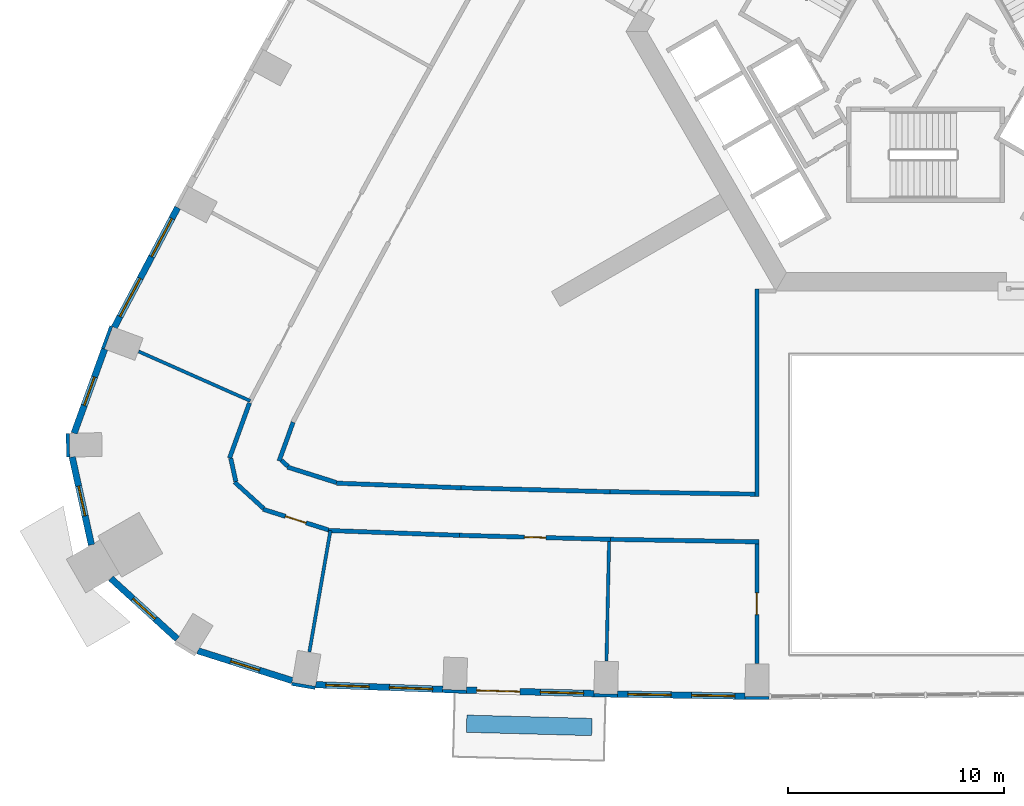
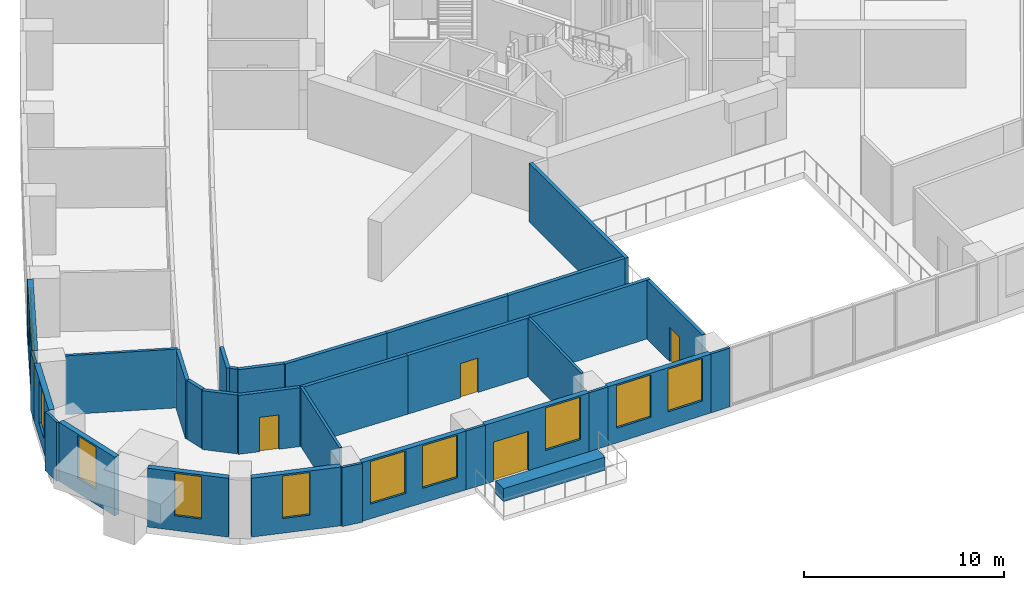
# One storey, part 4 of 15: 33 walls, 11 windows, 4 doors, 15 openings.
"""IFC4 building model written with IfcOpenShell, lengths in metres."""

from ifc_helpers import new_model, si_unit, direction, frame, frame_2d, origin, place, context, subcontext, project, spatial, rectangle, extrude, material, layer, layer_set, type_object, element, fill, save


model = new_model("IFC4")

# Units and contexts
model_context = context("Model", 3, precision=1e-05, world=origin(), true_north=direction((0.0, 1.0)))
body_context = subcontext(model_context, "Body", "Model", "MODEL_VIEW")
ifc_project = project(units=[si_unit("LENGTHUNIT", "METRE"), si_unit("AREAUNIT", "SQUARE_METRE"), si_unit("VOLUMEUNIT", "CUBIC_METRE"), si_unit("PLANEANGLEUNIT", "RADIAN"), si_unit("MASSUNIT", "GRAM", prefix="KILO")], contexts=[model_context])

# Site, building, storey
site_placement = place(None, origin())
site = spatial("IfcSite", under=ifc_project, at=site_placement, CompositionType="ELEMENT")
building_placement = place(site_placement, origin())
building = spatial("IfcBuilding", under=site, at=building_placement, Name="Entoto Arch Interchange Tower", CompositionType="ELEMENT")
storey_placement = place(building_placement, frame((0.0, 0.0, 128.60009765625)))
storey = spatial("IfcBuildingStorey", under=building, at=storey_placement, Name="L28", CompositionType="ELEMENT", Elevation=128.60009765625)

# Walls
ifc_material_1 = material(Name="Gypsum board partition on steel studs", Category="steel")
ifc_layer_1 = layer(ifc_material_1, 0.14990234375)
ifc_layer_set_1 = layer_set([ifc_layer_1], Name="Gypsum board partition on steel studs")
wall_type_1 = type_object("IfcWallType", Name="PARTITION 150", PredefinedType="PARTITIONING", material=ifc_layer_set_1)
wall_1_placement = place(storey_placement, frame((-31.23291015625, -14.58203125, 0.0), z_axis=(0.0, 0.0, 1.0), x_axis=(-0.914317360249, 0.404998474994, 0.0)))
element("IfcWall", 1, at=wall_1_placement, inside=storey, type_object=wall_type_1, Name="wall:L28:p150", PredefinedType="PARTITIONING", context=body_context, shape_type="SweptSolid", body=[
    extrude(rectangle(XDim=5.644775390625, YDim=0.14990234375, at=frame_2d((2.822265625, 0.0))), origin(), (0.0, 0.0, 1.0), 3.599853515625),
])
wall_2_placement = place(storey_placement, frame((-27.52587890625, -20.577880859375, 0.0), z_axis=(0.0, 0.0, 1.0), x_axis=(-0.170795043313, -0.985306578269, 0.0)))
element("IfcWall", 2, at=wall_2_placement, inside=storey, type_object=wall_type_1, Name="wall:L28:p151", PredefinedType="PARTITIONING", context=body_context, shape_type="SweptSolid", body=[
    extrude(rectangle(XDim=5.69775390625, YDim=0.14990234375, at=frame_2d((2.848876953125, 0.0))), origin(), (0.0, 0.0, 1.0), 3.599853515625),
])
wall_3_placement = place(storey_placement, frame((-14.638916015625, -21.083984375, 0.0), z_axis=(0.0, 0.0, 1.0), x_axis=(-0.021723441989, -0.99976401819, 0.0)))
element("IfcWall", 3, at=wall_3_placement, inside=storey, type_object=wall_type_1, Name="wall:L28:p152", PredefinedType="PARTITIONING", context=body_context, shape_type="SweptSolid", body=[
    extrude(rectangle(XDim=5.529296875, YDim=0.14990234375, at=frame_2d((2.7646484375, 0.0))), origin(), (0.0, 0.0, 1.0), 3.599853515625),
])
ifc_layer_2 = layer(ifc_material_1, 0.199951171875)
ifc_layer_set_2 = layer_set([ifc_layer_2], Name="Gypsum board partition on steel studs")
wall_type_2 = type_object("IfcWallType", Name="PARTITION 200", PredefinedType="PARTITIONING", material=ifc_layer_set_2)
wall_4_placement = place(storey_placement, frame((-29.2509765625, -15.569091796875, 0.0), z_axis=(0.0, 0.0, 1.0), x_axis=(-0.340403936609, -0.940279298901, 0.0)))
element("IfcWall", 4, at=wall_4_placement, inside=storey, type_object=wall_type_2, Name="wall:L28:p037", PredefinedType="PARTITIONING", context=body_context, shape_type="SweptSolid", body=[
    extrude(rectangle(XDim=1.903564453125, YDim=0.199951171875, at=frame_2d((0.95166015625, 0.0))), origin(), (0.0, 0.0, 1.0), 3.599853515625),
])
wall_5_placement = place(storey_placement, frame((-29.7919921875, -17.33203125, 0.0), z_axis=(0.0, 0.0, 1.0), x_axis=(0.738629069284, -0.674112081192, 0.0)))
element("IfcWall", 5, at=wall_5_placement, inside=storey, type_object=wall_type_2, Name="wall:L28:p038", PredefinedType="PARTITIONING", context=body_context, shape_type="SweptSolid", body=[
    extrude(rectangle(XDim=0.40478515625, YDim=0.199951171875, at=frame_2d((0.202392578125, 0.0))), origin(), (0.0, 0.0, 1.0), 3.599853515625),
])
wall_6_placement = place(storey_placement, frame((-29.513916015625, -17.64208984375, 0.0), z_axis=(0.0, 0.0, 1.0), x_axis=(0.953398231748, -0.301714785353, 0.0)))
element("IfcWall", 6, at=wall_6_placement, inside=storey, type_object=wall_type_2, Name="wall:L28:p039", PredefinedType="PARTITIONING", context=body_context, shape_type="SweptSolid", body=[
    extrude(rectangle(XDim=2.383056640625, YDim=0.199951171875, at=frame_2d((1.19140625, 0.0))), origin(), (0.0, 0.0, 1.0), 3.599853515625),
])
wall_7_placement = place(storey_placement, frame((-27.2470703125, -18.386962890625, 0.0), z_axis=(0.0, 0.0, 1.0), x_axis=(0.999316109669, -0.036977195089, 0.0)))
element("IfcWall", 7, at=wall_7_placement, inside=storey, type_object=wall_type_2, Name="wall:L28:p040", PredefinedType="PARTITIONING", context=body_context, shape_type="SweptSolid", body=[
    extrude(rectangle(XDim=5.763916015625, YDim=0.199951171875, at=frame_2d((2.8818359375, 0.0))), origin(), (0.0, 0.0, 1.0), 3.599853515625),
])
wall_8_placement = place(storey_placement, frame((-21.487060546875, -18.60009765625, 0.0), z_axis=(0.0, 0.0, 1.0), x_axis=(0.999645048679, -0.02664163381, 0.0)))
element("IfcWall", 8, at=wall_8_placement, inside=storey, type_object=wall_type_2, Name="wall:L28:p041", PredefinedType="PARTITIONING", context=body_context, shape_type="SweptSolid", body=[
    extrude(rectangle(XDim=6.900390625, YDim=0.199951171875, at=frame_2d((3.4501953125, 0.0))), origin(), (0.0, 0.0, 1.0), 3.599853515625),
])
wall_9_placement = place(storey_placement, frame((-14.589111328125, -18.783935546875, 0.0), z_axis=(0.0, 0.0, 1.0), x_axis=(0.999862141497, -0.016604156151, 0.0)))
element("IfcWall", 9, at=wall_9_placement, inside=storey, type_object=wall_type_2, Name="wall:L28:p042", PredefinedType="PARTITIONING", context=body_context, shape_type="SweptSolid", body=[
    extrude(rectangle(XDim=6.690185546875, YDim=0.199951171875, at=frame_2d((3.34521484375, 0.0))), origin(), (0.0, 0.0, 1.0), 3.599853515625),
])

# Wall, opening, door
wall_10_placement = place(storey_placement, frame((-27.62109375, -20.548095703125, 0.0), z_axis=(0.0, 0.0, 1.0), x_axis=(-0.953482354465, 0.301448834338, 0.0)))
wall_10 = element("IfcWall", 10, at=wall_10_placement, inside=storey, type_object=wall_type_2, Name="wall:L28:p077", PredefinedType="PARTITIONING", context=body_context, shape_type="SweptSolid", body=[
    extrude(rectangle(XDim=3.1650390625, YDim=0.199951171875, at=frame_2d((1.58251953125, 0.0))), origin(), (0.0, 0.0, 1.0), 3.599853515625),
])
opening_1_placement = place(wall_10_placement, frame((1.08203125, 0.0, 0.0)))
opening_1 = element("IfcOpeningElement", 11, at=opening_1_placement, cuts=wall_10, Name="Opening L28-D19", PredefinedType="OPENING", context=body_context, shape_type="SweptSolid", body=[
    extrude(rectangle(XDim=1.0, YDim=2.10009765625, at=frame_2d((0.5, 1.050048828125))), frame((0.0, 0.10986328125, 0.0), z_axis=(0.0, -1.0, 0.0), x_axis=(1.0, 0.0, 0.0)), (0.0, 0.0, 1.0), 0.219970703125),
])
ifc_material_2 = material(Name="Timber door leaf in Steel S235 frame", Category="steel")
door_type_1 = type_object("IfcDoorType", Name="DOOR DS-10 1000x2100", OperationType="SINGLE_SWING_LEFT", PredefinedType="DOOR", material=ifc_material_2)
door_1_placement = place(opening_1_placement, origin())
door_1 = element("IfcDoor", 12, at=door_1_placement, inside=storey, type_object=door_type_1, Name="door:L28:19", OperationType="SINGLE_SWING_RIGHT", OverallHeight=2.10009765625, OverallWidth=1.0, PredefinedType="DOOR", context=body_context, shape_type="SweptSolid", body=[
    extrude(rectangle(XDim=1.0, YDim=2.10009765625, at=frame_2d((0.5, 1.050048828125))), frame((0.0, 0.02490234375, 0.0), z_axis=(0.0, -1.0, 0.0), x_axis=(1.0, 0.0, 0.0)), (0.0, 0.0, 1.0), 0.050048828125),
])
fill(opening_1, door_1)

# Walls
wall_11_placement = place(storey_placement, frame((-30.616943359375, -19.556884765625, 0.0), z_axis=(0.0, 0.0, 1.0), x_axis=(-0.739034946694, 0.673667089567, 0.0)))
element("IfcWall", 13, at=wall_11_placement, inside=storey, type_object=wall_type_2, Name="wall:L28:p078", PredefinedType="PARTITIONING", context=body_context, shape_type="SweptSolid", body=[
    extrude(rectangle(XDim=1.8076171875, YDim=0.199951171875, at=frame_2d((0.90380859375, 0.0))), origin(), (0.0, 0.0, 1.0), 3.599853515625),
])
wall_12_placement = place(storey_placement, frame((-31.90087890625, -18.30810546875, 0.0), z_axis=(0.0, 0.0, 1.0), x_axis=(-0.214278387947, 0.976772630891, 0.0)))
element("IfcWall", 14, at=wall_12_placement, inside=storey, type_object=wall_type_2, Name="wall:L28:p079", PredefinedType="PARTITIONING", context=body_context, shape_type="SweptSolid", body=[
    extrude(rectangle(XDim=1.101806640625, YDim=0.199951171875, at=frame_2d((0.55078125, 0.0))), origin(), (0.0, 0.0, 1.0), 3.599853515625),
])
wall_13_placement = place(storey_placement, frame((-32.19189453125, -17.22900390625, 0.0), z_axis=(0.0, 0.0, 1.0), x_axis=(0.340269739222, 0.940327870782, 0.0)))
element("IfcWall", 15, at=wall_13_placement, inside=storey, type_object=wall_type_2, Name="wall:L28:p080", PredefinedType="PARTITIONING", context=body_context, shape_type="SweptSolid", body=[
    extrude(rectangle(XDim=2.715087890625, YDim=0.199951171875, at=frame_2d((1.357421875, 0.0))), origin(), (0.0, 0.0, 1.0), 3.599853515625),
])

# Wall, opening, door
wall_14_placement = place(storey_placement, frame((-14.56201171875, -20.986083984375, 0.0), z_axis=(0.0, 0.0, 1.0), x_axis=(-0.999642796892, 0.026725991498, 0.0)))
wall_14 = element("IfcWall", 16, at=wall_14_placement, inside=storey, type_object=wall_type_2, Name="wall:L28:p081", PredefinedType="PARTITIONING", context=body_context, shape_type="SweptSolid", body=[
    extrude(rectangle(XDim=6.997314453125, YDim=0.199951171875, at=frame_2d((3.49853515625, 0.0))), origin(), (0.0, 0.0, 1.0), 3.599853515625),
])
opening_2_placement = place(wall_14_placement, frame((2.9990234375, 0.0, 0.0)))
opening_2 = element("IfcOpeningElement", 17, at=opening_2_placement, cuts=wall_14, Name="Opening L28-D20", PredefinedType="OPENING", context=body_context, shape_type="SweptSolid", body=[
    extrude(rectangle(XDim=1.0, YDim=2.10009765625, at=frame_2d((0.5, 1.050048828125))), frame((0.0, 0.10986328125, 0.0), z_axis=(0.0, -1.0, 0.0), x_axis=(1.0, 0.0, 0.0)), (0.0, 0.0, 1.0), 0.219970703125),
])
door_2_placement = place(opening_2_placement, origin())
door_2 = element("IfcDoor", 18, at=door_2_placement, inside=storey, type_object=door_type_1, Name="door:L28:20", OperationType="SINGLE_SWING_LEFT", OverallHeight=2.10009765625, OverallWidth=1.0, PredefinedType="DOOR", context=body_context, shape_type="SweptSolid", body=[
    extrude(rectangle(XDim=1.0, YDim=2.10009765625, at=frame_2d((0.5, 1.050048828125))), frame((0.0, 0.02490234375, 0.0), z_axis=(0.0, -1.0, 0.0), x_axis=(1.0, 0.0, 0.0)), (0.0, 0.0, 1.0), 0.050048828125),
])
fill(opening_2, door_2)

# Walls
wall_15_placement = place(storey_placement, frame((-21.556884765625, -20.799072265625, 0.0), z_axis=(0.0, 0.0, 1.0), x_axis=(-0.99931884782, 0.036903121698, 0.0)))
element("IfcWall", 19, at=wall_15_placement, inside=storey, type_object=wall_type_2, Name="wall:L28:p082", PredefinedType="PARTITIONING", context=body_context, shape_type="SweptSolid", body=[
    extrude(rectangle(XDim=6.0732421875, YDim=0.199951171875, at=frame_2d((3.03662109375, 0.0))), origin(), (0.0, 0.0, 1.0), 3.599853515625),
])
wall_16_placement = place(storey_placement, frame((-7.699951171875, -21.09912109375, 0.0), z_axis=(0.0, 0.0, 1.0), x_axis=(-0.999861998162, 0.016612785183, 0.0)))
element("IfcWall", 20, at=wall_16_placement, inside=storey, type_object=wall_type_2, Name="wall:L28:p083", PredefinedType="PARTITIONING", context=body_context, shape_type="SweptSolid", body=[
    extrude(rectangle(XDim=6.863037109375, YDim=0.199951171875, at=frame_2d((3.431640625, 0.0))), origin(), (0.0, 0.0, 1.0), 3.599853515625),
])
wall_17_placement = place(storey_placement, frame((-7.800048828125, -18.9970703125, 0.0), z_axis=(0.0, 0.0, 1.0), x_axis=(0.0, 1.0, 0.0)))
element("IfcWall", 21, at=wall_17_placement, inside=storey, type_object=wall_type_2, Name="wall:L28:p116", PredefinedType="PARTITIONING", context=body_context, shape_type="SweptSolid", body=[
    extrude(rectangle(XDim=9.59814453125, YDim=0.199951171875, at=frame_2d((4.799072265625, 0.0))), origin(), (0.0, 0.0, 1.0), 3.599853515625),
])

# Wall, opening, door
wall_18_placement = place(storey_placement, frame((-7.800048828125, -26.72802734375, 0.0), z_axis=(0.0, 0.0, 1.0), x_axis=(0.0, 1.0, 0.0)))
wall_18 = element("IfcWall", 22, at=wall_18_placement, inside=storey, type_object=wall_type_2, Name="wall:L28:p119", PredefinedType="PARTITIONING", context=body_context, shape_type="SweptSolid", body=[
    extrude(rectangle(XDim=5.531005859375, YDim=0.199951171875, at=frame_2d((2.765625, 0.0))), origin(), (0.0, 0.0, 1.0), 3.599853515625),
])
opening_3_placement = place(wall_18_placement, frame((2.264892578125, 0.0, 0.0)))
opening_3 = element("IfcOpeningElement", 23, at=opening_3_placement, cuts=wall_18, Name="Opening L28-D21", PredefinedType="OPENING", context=body_context, shape_type="SweptSolid", body=[
    extrude(rectangle(XDim=1.0, YDim=2.10009765625, at=frame_2d((0.5, 1.050048828125))), frame((0.0, 0.10986328125, 0.0), z_axis=(0.0, -1.0, 0.0), x_axis=(1.0, 0.0, 0.0)), (0.0, 0.0, 1.0), 0.219970703125),
])
door_3_placement = place(opening_3_placement, origin())
door_3 = element("IfcDoor", 24, at=door_3_placement, inside=storey, type_object=door_type_1, Name="door:L28:21", OperationType="SINGLE_SWING_LEFT", OverallHeight=2.10009765625, OverallWidth=1.0, PredefinedType="DOOR", context=body_context, shape_type="SweptSolid", body=[
    extrude(rectangle(XDim=1.0, YDim=2.10009765625, at=frame_2d((0.5, 1.050048828125))), frame((0.0, 0.02490234375, 0.0), z_axis=(0.0, -1.0, 0.0), x_axis=(1.0, 0.0, 0.0)), (0.0, 0.0, 1.0), 0.050048828125),
])
fill(opening_3, door_3)

# Wall
ifc_material_3 = material(Name="Board-marked precast concrete C50/60", Category="concrete")
ifc_layer_3 = layer(ifc_material_3, 0.800048828125)
ifc_layer_set_3 = layer_set([ifc_layer_3], Name="Board-marked precast concrete C50/60")
wall_type_3 = type_object("IfcWallType", Name="PLANTER RC 800 Hagenia abyssinica", PredefinedType="STANDARD", material=ifc_layer_set_3)
wall_19_placement = place(storey_placement, frame((-21.22705078125, -29.510986328125, 0.0), z_axis=(0.0, 0.0, 1.0), x_axis=(0.999646859957, -0.02657358422, 0.0)))
element("IfcWall", 25, at=wall_19_placement, inside=storey, type_object=wall_type_3, Name="Planter S-02 L28", PredefinedType="STANDARD", context=body_context, shape_type="SweptSolid", body=[
    extrude(rectangle(XDim=5.797119140625, YDim=0.800048828125, at=frame_2d((2.8984375, 0.0))), origin(), (0.0, 0.0, 1.0), 0.7998046875),
])

# Wall, openings, windows
ifc_material_4 = material(Name="Welded tuff (ignimbrite) cladding, warm buff", Category="masonry")
ifc_layer_4 = layer(ifc_material_4, 0.300048828125)
ifc_layer_set_4 = layer_set([ifc_layer_4], Name="Welded tuff (ignimbrite) cladding, warm buff")
wall_type_4 = type_object("IfcWallType", Name="STONE INFILL WALL 300", PredefinedType="STANDARD", material=ifc_layer_set_4)
wall_20_placement = place(storey_placement, frame((-28.205078125, -27.7080078125, 0.0), z_axis=(0.0, 0.0, 1.0), x_axis=(0.999317846462, -0.036930228031, 0.0)))
wall_20 = element("IfcWall", 26, at=wall_20_placement, inside=storey, type_object=wall_type_4, Name="Facade wall S-01 L28", PredefinedType="STANDARD", context=body_context, shape_type="SweptSolid", body=[
    extrude(rectangle(XDim=5.876953125, YDim=0.300048828125, at=frame_2d((2.9384765625, 0.0))), origin(), (0.0, 0.0, 1.0), 3.599853515625),
])
opening_4_placement = place(wall_20_placement, frame((0.468994140625, 0.0, 0.89990234375)))
opening_4 = element("IfcOpeningElement", 27, at=opening_4_placement, cuts=wall_20, Name="Opening WO-C", PredefinedType="OPENING", context=body_context, shape_type="SweptSolid", body=[
    extrude(rectangle(XDim=2.0, YDim=2.60009765625, at=frame_2d((1.0, 1.300048828125))), frame((0.0, 0.16015625, 0.0), z_axis=(0.0, -1.0, 0.0), x_axis=(1.0, 0.0, 0.0)), (0.0, 0.0, 1.0), 0.320068359375),
])
opening_5_placement = place(wall_20_placement, frame((3.407958984375, 0.0, 0.89990234375)))
opening_5 = element("IfcOpeningElement", 28, at=opening_5_placement, cuts=wall_20, Name="Opening WO-C", PredefinedType="OPENING", context=body_context, shape_type="SweptSolid", body=[
    extrude(rectangle(XDim=2.0, YDim=2.60009765625, at=frame_2d((1.0, 1.300048828125))), frame((0.0, 0.16015625, 0.0), z_axis=(0.0, -1.0, 0.0), x_axis=(1.0, 0.0, 0.0)), (0.0, 0.0, 1.0), 0.320068359375),
])
ifc_material_5 = material(Name="Clear glass, low-e double glazed", Category="glass")
window_type_1 = type_object("IfcWindowType", Name="WINDOW WO-C 2000x2600", PartitioningType="DOUBLE_PANEL_VERTICAL", PredefinedType="WINDOW", material=ifc_material_5)
window_1_placement = place(opening_4_placement, origin())
window_1 = element("IfcWindow", 29, at=window_1_placement, inside=storey, type_object=window_type_1, Name="Window WO-C S-01 L28", OverallHeight=2.60009765625, OverallWidth=2.0, PartitioningType="SINGLE_PANEL", PredefinedType="WINDOW", context=body_context, shape_type="SweptSolid", body=[
    extrude(rectangle(XDim=2.0, YDim=2.60009765625, at=frame_2d((1.0, 1.300048828125))), frame((0.0, 0.030029296875, 0.0), z_axis=(0.0, -1.0, 0.0), x_axis=(1.0, 0.0, 0.0)), (0.0, 0.0, 1.0), 0.06005859375),
])
fill(opening_4, window_1)
window_2_placement = place(opening_5_placement, origin())
window_2 = element("IfcWindow", 30, at=window_2_placement, inside=storey, type_object=window_type_1, Name="Window WO-C S-01 L28", OverallHeight=2.60009765625, OverallWidth=2.0, PartitioningType="SINGLE_PANEL", PredefinedType="WINDOW", context=body_context, shape_type="SweptSolid", body=[
    extrude(rectangle(XDim=2.0, YDim=2.60009765625, at=frame_2d((1.0, 1.300048828125))), frame((0.0, 0.030029296875, 0.0), z_axis=(0.0, -1.0, 0.0), x_axis=(1.0, 0.0, 0.0)), (0.0, 0.0, 1.0), 0.06005859375),
])
fill(opening_5, window_2)

# Wall, openings, door, window
wall_21_placement = place(storey_placement, frame((-21.235107421875, -27.9599609375, 0.0), z_axis=(0.0, 0.0, 1.0), x_axis=(0.999645618819, -0.026620232457, 0.0)))
wall_21 = element("IfcWall", 31, at=wall_21_placement, inside=storey, type_object=wall_type_4, Name="Facade wall S-02 L28", PredefinedType="STANDARD", context=body_context, shape_type="SweptSolid", body=[
    extrude(rectangle(XDim=5.897216796875, YDim=0.300048828125, at=frame_2d((2.94873046875, 0.0))), origin(), (0.0, 0.0, 1.0), 3.599853515625),
])
opening_6_placement = place(wall_21_placement, frame((0.47412109375, 0.0, 0.0)))
opening_6 = element("IfcOpeningElement", 32, at=opening_6_placement, cuts=wall_21, Name="Opening DB-S-02-L28", PredefinedType="OPENING", context=body_context, shape_type="SweptSolid", body=[
    extrude(rectangle(XDim=2.0, YDim=2.39990234375, at=frame_2d((1.0, 1.199951171875))), frame((0.0, 0.16015625, 0.0), z_axis=(0.0, -1.0, 0.0), x_axis=(1.0, 0.0, 0.0)), (0.0, 0.0, 1.0), 0.320068359375),
])
opening_7_placement = place(wall_21_placement, frame((3.423095703125, 0.0, 0.89990234375)))
opening_7 = element("IfcOpeningElement", 33, at=opening_7_placement, cuts=wall_21, Name="Opening WO-C", PredefinedType="OPENING", context=body_context, shape_type="SweptSolid", body=[
    extrude(rectangle(XDim=2.0, YDim=2.60009765625, at=frame_2d((1.0, 1.300048828125))), frame((0.0, 0.16015625, 0.0), z_axis=(0.0, -1.0, 0.0), x_axis=(1.0, 0.0, 0.0)), (0.0, 0.0, 1.0), 0.320068359375),
])
ifc_material_6 = material(Name="Aluminium and clear glass, anodised", Category="aluminium")
door_type_2 = type_object("IfcDoorType", Name="BALCONY DOOR DB 2000x2400", OperationType="SLIDING_TO_LEFT", PredefinedType="DOOR", material=ifc_material_6)
door_4_placement = place(opening_6_placement, origin())
door_4 = element("IfcDoor", 34, at=door_4_placement, inside=storey, type_object=door_type_2, Name="Balcony door S-02 L28", OperationType="SLIDING_TO_LEFT", OverallHeight=2.39990234375, OverallWidth=2.0, PredefinedType="DOOR", context=body_context, shape_type="SweptSolid", body=[
    extrude(rectangle(XDim=2.0, YDim=2.39990234375, at=frame_2d((1.0, 1.199951171875))), frame((0.0, 0.02490234375, 0.0), z_axis=(0.0, -1.0, 0.0), x_axis=(1.0, 0.0, 0.0)), (0.0, 0.0, 1.0), 0.050048828125),
])
fill(opening_6, door_4)
window_3_placement = place(opening_7_placement, origin())
window_3 = element("IfcWindow", 35, at=window_3_placement, inside=storey, type_object=window_type_1, Name="Window WO-C S-02 L28", OverallHeight=2.60009765625, OverallWidth=2.0, PartitioningType="SINGLE_PANEL", PredefinedType="WINDOW", context=body_context, shape_type="SweptSolid", body=[
    extrude(rectangle(XDim=2.0, YDim=2.60009765625, at=frame_2d((1.0, 1.300048828125))), frame((0.0, 0.030029296875, 0.0), z_axis=(0.0, -1.0, 0.0), x_axis=(1.0, 0.0, 0.0)), (0.0, 0.0, 1.0), 0.06005859375),
])
fill(opening_7, window_3)

# Wall, openings, windows
wall_22_placement = place(storey_placement, frame((-14.241943359375, -28.14111328125, 0.0), z_axis=(0.0, 0.0, 1.0), x_axis=(0.999862081538, -0.016607766328, 0.0)))
wall_22 = element("IfcWall", 36, at=wall_22_placement, inside=storey, type_object=wall_type_4, Name="Facade wall S-03 L28", PredefinedType="STANDARD", context=body_context, shape_type="SweptSolid", body=[
    extrude(rectangle(XDim=5.894775390625, YDim=0.300048828125, at=frame_2d((2.947265625, 0.0))), origin(), (0.0, 0.0, 1.0), 3.599853515625),
])
opening_8_placement = place(wall_22_placement, frame((0.47412109375, 0.0, 0.89990234375)))
opening_8 = element("IfcOpeningElement", 37, at=opening_8_placement, cuts=wall_22, Name="Opening WO-C", PredefinedType="OPENING", context=body_context, shape_type="SweptSolid", body=[
    extrude(rectangle(XDim=2.0, YDim=2.60009765625, at=frame_2d((1.0, 1.300048828125))), frame((0.0, 0.16015625, 0.0), z_axis=(0.0, -1.0, 0.0), x_axis=(1.0, 0.0, 0.0)), (0.0, 0.0, 1.0), 0.320068359375),
])
opening_9_placement = place(wall_22_placement, frame((3.4208984375, 0.0, 0.89990234375)))
opening_9 = element("IfcOpeningElement", 38, at=opening_9_placement, cuts=wall_22, Name="Opening WO-C", PredefinedType="OPENING", context=body_context, shape_type="SweptSolid", body=[
    extrude(rectangle(XDim=2.0, YDim=2.60009765625, at=frame_2d((1.0, 1.300048828125))), frame((0.0, 0.16015625, 0.0), z_axis=(0.0, -1.0, 0.0), x_axis=(1.0, 0.0, 0.0)), (0.0, 0.0, 1.0), 0.320068359375),
])
window_4_placement = place(opening_8_placement, origin())
window_4 = element("IfcWindow", 39, at=window_4_placement, inside=storey, type_object=window_type_1, Name="Window WO-C S-03 L28", OverallHeight=2.60009765625, OverallWidth=2.0, PartitioningType="SINGLE_PANEL", PredefinedType="WINDOW", context=body_context, shape_type="SweptSolid", body=[
    extrude(rectangle(XDim=2.0, YDim=2.60009765625, at=frame_2d((1.0, 1.300048828125))), frame((0.0, 0.030029296875, 0.0), z_axis=(0.0, -1.0, 0.0), x_axis=(1.0, 0.0, 0.0)), (0.0, 0.0, 1.0), 0.06005859375),
])
fill(opening_8, window_4)
window_5_placement = place(opening_9_placement, origin())
window_5 = element("IfcWindow", 40, at=window_5_placement, inside=storey, type_object=window_type_1, Name="Window WO-C S-03 L28", OverallHeight=2.60009765625, OverallWidth=2.0, PartitioningType="SINGLE_PANEL", PredefinedType="WINDOW", context=body_context, shape_type="SweptSolid", body=[
    extrude(rectangle(XDim=2.0, YDim=2.60009765625, at=frame_2d((1.0, 1.300048828125))), frame((0.0, 0.030029296875, 0.0), z_axis=(0.0, -1.0, 0.0), x_axis=(1.0, 0.0, 0.0)), (0.0, 0.0, 1.0), 0.06005859375),
])
fill(opening_9, window_5)

wall_23_placement = place(storey_placement, frame((-34.593017578125, -5.64306640625, 0.0), z_axis=(0.0, 0.0, 1.0), x_axis=(-0.467654949391, -0.883911108828, 0.0)))
wall_23 = element("IfcWall", 41, at=wall_23_placement, inside=storey, type_object=wall_type_4, Name="Facade wall NW-08 L28", PredefinedType="STANDARD", context=body_context, shape_type="SweptSolid", body=[
    extrude(rectangle(XDim=6.26513671875, YDim=0.300048828125, at=frame_2d((3.132568359375, 0.0))), origin(), (0.0, 0.0, 1.0), 3.599853515625),
])
opening_10_placement = place(wall_23_placement, frame((0.56591796875, 0.0, 0.89990234375)))
opening_10 = element("IfcOpeningElement", 42, at=opening_10_placement, cuts=wall_23, Name="Opening WO-C", PredefinedType="OPENING", context=body_context, shape_type="SweptSolid", body=[
    extrude(rectangle(XDim=2.0, YDim=2.60009765625, at=frame_2d((1.0, 1.300048828125))), frame((0.0, 0.16015625, 0.0), z_axis=(0.0, -1.0, 0.0), x_axis=(1.0, 0.0, 0.0)), (0.0, 0.0, 1.0), 0.320068359375),
])
opening_11_placement = place(wall_23_placement, frame((3.698974609375, 0.0, 0.89990234375)))
opening_11 = element("IfcOpeningElement", 43, at=opening_11_placement, cuts=wall_23, Name="Opening WO-C", PredefinedType="OPENING", context=body_context, shape_type="SweptSolid", body=[
    extrude(rectangle(XDim=2.0, YDim=2.60009765625, at=frame_2d((1.0, 1.300048828125))), frame((0.0, 0.16015625, 0.0), z_axis=(0.0, -1.0, 0.0), x_axis=(1.0, 0.0, 0.0)), (0.0, 0.0, 1.0), 0.320068359375),
])
window_6_placement = place(opening_10_placement, origin())
window_6 = element("IfcWindow", 44, at=window_6_placement, inside=storey, type_object=window_type_1, Name="Window WO-C NW-08 L28", OverallHeight=2.60009765625, OverallWidth=2.0, PartitioningType="SINGLE_PANEL", PredefinedType="WINDOW", context=body_context, shape_type="SweptSolid", body=[
    extrude(rectangle(XDim=2.0, YDim=2.60009765625, at=frame_2d((1.0, 1.300048828125))), frame((0.0, 0.030029296875, 0.0), z_axis=(0.0, -1.0, 0.0), x_axis=(1.0, 0.0, 0.0)), (0.0, 0.0, 1.0), 0.06005859375),
])
fill(opening_10, window_6)
window_7_placement = place(opening_11_placement, origin())
window_7 = element("IfcWindow", 45, at=window_7_placement, inside=storey, type_object=window_type_1, Name="Window WO-C NW-08 L28", OverallHeight=2.60009765625, OverallWidth=2.0, PartitioningType="SINGLE_PANEL", PredefinedType="WINDOW", context=body_context, shape_type="SweptSolid", body=[
    extrude(rectangle(XDim=2.0, YDim=2.60009765625, at=frame_2d((1.0, 1.300048828125))), frame((0.0, 0.030029296875, 0.0), z_axis=(0.0, -1.0, 0.0), x_axis=(1.0, 0.0, 0.0)), (0.0, 0.0, 1.0), 0.06005859375),
])
fill(opening_11, window_7)

# Wall, opening, window
wall_24_placement = place(storey_placement, frame((-37.969970703125, -12.18603515625, 0.0), z_axis=(0.0, 0.0, 1.0), x_axis=(-0.340477955209, -0.940252499075, 0.0)))
wall_24 = element("IfcWall", 46, at=wall_24_placement, inside=storey, type_object=wall_type_4, Name="Facade wall SW-01 L28", PredefinedType="STANDARD", context=body_context, shape_type="SweptSolid", body=[
    extrude(rectangle(XDim=4.13818359375, YDim=0.300048828125, at=frame_2d((2.069091796875, 0.0))), origin(), (0.0, 0.0, 1.0), 3.599853515625),
])
opening_12_placement = place(wall_24_placement, frame((1.368896484375, 0.0, 0.89990234375)))
opening_12 = element("IfcOpeningElement", 47, at=opening_12_placement, cuts=wall_24, Name="Opening WO-B", PredefinedType="OPENING", context=body_context, shape_type="SweptSolid", body=[
    extrude(rectangle(XDim=1.39990234375, YDim=2.60009765625, at=frame_2d((0.699951171875, 1.300048828125))), frame((0.0, 0.16015625, 0.0), z_axis=(0.0, -1.0, 0.0), x_axis=(1.0, 0.0, 0.0)), (0.0, 0.0, 1.0), 0.320068359375),
])
window_type_2 = type_object("IfcWindowType", Name="WINDOW WO-B 1400x2600", PartitioningType="DOUBLE_PANEL_VERTICAL", PredefinedType="WINDOW", material=ifc_material_5)
window_8_placement = place(opening_12_placement, origin())
window_8 = element("IfcWindow", 48, at=window_8_placement, inside=storey, type_object=window_type_2, Name="Window WO-B SW-01 L28", OverallHeight=2.60009765625, OverallWidth=1.39990234375, PartitioningType="SINGLE_PANEL", PredefinedType="WINDOW", context=body_context, shape_type="SweptSolid", body=[
    extrude(rectangle(XDim=1.39990234375, YDim=2.60009765625, at=frame_2d((0.699951171875, 1.300048828125))), frame((0.0, 0.030029296875, 0.0), z_axis=(0.0, -1.0, 0.0), x_axis=(1.0, 0.0, 0.0)), (0.0, 0.0, 1.0), 0.06005859375),
])
fill(opening_12, window_8)

wall_25_placement = place(storey_placement, frame((-39.468017578125, -17.177978515625, 0.0), z_axis=(0.0, 0.0, 1.0), x_axis=(0.2139737857, -0.976839402887, 0.0)))
wall_25 = element("IfcWall", 49, at=wall_25_placement, inside=storey, type_object=wall_type_4, Name="Facade wall SW-02 L28", PredefinedType="STANDARD", context=body_context, shape_type="SweptSolid", body=[
    extrude(rectangle(XDim=4.154296875, YDim=0.300048828125, at=frame_2d((2.0771484375, 0.0))), origin(), (0.0, 0.0, 1.0), 3.599853515625),
])
opening_13_placement = place(wall_25_placement, frame((1.376953125, 0.0, 0.89990234375)))
opening_13 = element("IfcOpeningElement", 50, at=opening_13_placement, cuts=wall_25, Name="Opening WO-B", PredefinedType="OPENING", context=body_context, shape_type="SweptSolid", body=[
    extrude(rectangle(XDim=1.39990234375, YDim=2.60009765625, at=frame_2d((0.699951171875, 1.300048828125))), frame((0.0, 0.16015625, 0.0), z_axis=(0.0, -1.0, 0.0), x_axis=(1.0, 0.0, 0.0)), (0.0, 0.0, 1.0), 0.320068359375),
])
window_9_placement = place(opening_13_placement, origin())
window_9 = element("IfcWindow", 51, at=window_9_placement, inside=storey, type_object=window_type_2, Name="Window WO-B SW-02 L28", OverallHeight=2.60009765625, OverallWidth=1.39990234375, PartitioningType="SINGLE_PANEL", PredefinedType="WINDOW", context=body_context, shape_type="SweptSolid", body=[
    extrude(rectangle(XDim=1.39990234375, YDim=2.60009765625, at=frame_2d((0.699951171875, 1.300048828125))), frame((0.0, 0.030029296875, 0.0), z_axis=(0.0, -1.0, 0.0), x_axis=(1.0, 0.0, 0.0)), (0.0, 0.0, 1.0), 0.06005859375),
])
fill(opening_13, window_9)

wall_26_placement = place(storey_placement, frame((-37.679931640625, -22.79296875, 0.0), z_axis=(0.0, 0.0, 1.0), x_axis=(0.738825046606, -0.673897284835, 0.0)))
wall_26 = element("IfcWall", 52, at=wall_26_placement, inside=storey, type_object=wall_type_4, Name="Facade wall SW-03 L28", PredefinedType="STANDARD", context=body_context, shape_type="SweptSolid", body=[
    extrude(rectangle(XDim=4.155029296875, YDim=0.300048828125, at=frame_2d((2.07763671875, 0.0))), origin(), (0.0, 0.0, 1.0), 3.599853515625),
])
opening_14_placement = place(wall_26_placement, frame((1.3779296875, 0.0, 0.89990234375)))
opening_14 = element("IfcOpeningElement", 53, at=opening_14_placement, cuts=wall_26, Name="Opening WO-B", PredefinedType="OPENING", context=body_context, shape_type="SweptSolid", body=[
    extrude(rectangle(XDim=1.39990234375, YDim=2.60009765625, at=frame_2d((0.699951171875, 1.300048828125))), frame((0.0, 0.16015625, 0.0), z_axis=(0.0, -1.0, 0.0), x_axis=(1.0, 0.0, 0.0)), (0.0, 0.0, 1.0), 0.320068359375),
])
window_10_placement = place(opening_14_placement, origin())
window_10 = element("IfcWindow", 54, at=window_10_placement, inside=storey, type_object=window_type_2, Name="Window WO-B SW-03 L28", OverallHeight=2.60009765625, OverallWidth=1.39990234375, PartitioningType="SINGLE_PANEL", PredefinedType="WINDOW", context=body_context, shape_type="SweptSolid", body=[
    extrude(rectangle(XDim=1.39990234375, YDim=2.60009765625, at=frame_2d((0.699951171875, 1.300048828125))), frame((0.0, 0.030029296875, 0.0), z_axis=(0.0, -1.0, 0.0), x_axis=(1.0, 0.0, 0.0)), (0.0, 0.0, 1.0), 0.06005859375),
])
fill(opening_14, window_10)

wall_27_placement = place(storey_placement, frame((-33.656982421875, -26.138916015625, 0.0), z_axis=(0.0, 0.0, 1.0), x_axis=(0.953449736988, -0.301551983971, 0.0)))
wall_27 = element("IfcWall", 55, at=wall_27_placement, inside=storey, type_object=wall_type_4, Name="Facade wall SW-04 L28", PredefinedType="STANDARD", context=body_context, shape_type="SweptSolid", body=[
    extrude(rectangle(XDim=4.583251953125, YDim=0.300048828125, at=frame_2d((2.29150390625, 0.0))), origin(), (0.0, 0.0, 1.0), 3.599853515625),
])
opening_15_placement = place(wall_27_placement, frame((1.592041015625, 0.0, 0.89990234375)))
opening_15 = element("IfcOpeningElement", 56, at=opening_15_placement, cuts=wall_27, Name="Opening WO-B", PredefinedType="OPENING", context=body_context, shape_type="SweptSolid", body=[
    extrude(rectangle(XDim=1.39990234375, YDim=2.60009765625, at=frame_2d((0.699951171875, 1.300048828125))), frame((0.0, 0.16015625, 0.0), z_axis=(0.0, -1.0, 0.0), x_axis=(1.0, 0.0, 0.0)), (0.0, 0.0, 1.0), 0.320068359375),
])
window_11_placement = place(opening_15_placement, origin())
window_11 = element("IfcWindow", 57, at=window_11_placement, inside=storey, type_object=window_type_2, Name="Window WO-B SW-04 L28", OverallHeight=2.60009765625, OverallWidth=1.39990234375, PartitioningType="SINGLE_PANEL", PredefinedType="WINDOW", context=body_context, shape_type="SweptSolid", body=[
    extrude(rectangle(XDim=1.39990234375, YDim=2.60009765625, at=frame_2d((0.699951171875, 1.300048828125))), frame((0.0, 0.030029296875, 0.0), z_axis=(0.0, -1.0, 0.0), x_axis=(1.0, 0.0, 0.0)), (0.0, 0.0, 1.0), 0.06005859375),
])
fill(opening_15, window_11)

# Walls
ifc_layer_5 = layer(ifc_material_4, 0.14990234375)
ifc_layer_set_5 = layer_set([ifc_layer_5], Name="Welded tuff (ignimbrite) cladding, warm buff")
wall_type_5 = type_object("IfcWallType", Name="STONE PIER CLADDING 150", PredefinedType="STANDARD", material=ifc_layer_set_5)
wall_28_placement = place(storey_placement, frame((-37.6630859375, -11.1279296875, 0.0), z_axis=(0.0, 0.0, 1.0), x_axis=(-0.347010833361, -0.937861120598, 0.0)))
element("IfcWall", 58, at=wall_28_placement, inside=storey, type_object=wall_type_5, Name="Stone pier NW09 L28", PredefinedType="STANDARD", context=body_context, shape_type="SweptSolid", body=[
    extrude(rectangle(XDim=1.100341796875, YDim=0.14990234375, at=frame_2d((0.55029296875, 0.0))), origin(), (0.0, 0.0, 1.0), 3.599853515625),
])
wall_29_placement = place(storey_placement, frame((-29.31396484375, -27.6708984375, 0.0), z_axis=(0.0, 0.0, 1.0), x_axis=(0.985763338892, -0.168138751323, 0.0)))
element("IfcWall", 59, at=wall_29_placement, inside=storey, type_object=wall_type_5, Name="Stone pier S01 L28", PredefinedType="STANDARD", context=body_context, shape_type="SweptSolid", body=[
    extrude(rectangle(XDim=1.1005859375, YDim=0.14990234375, at=frame_2d((0.55029296875, 0.0))), origin(), (0.0, 0.0, 1.0), 3.599853515625),
])
wall_30_placement = place(storey_placement, frame((-22.3359375, -28.0009765625, 0.0), z_axis=(0.0, 0.0, 1.0), x_axis=(0.999368780235, -0.035525217693, 0.0)))
element("IfcWall", 60, at=wall_30_placement, inside=storey, type_object=wall_type_5, Name="Stone pier S02 L28", PredefinedType="STANDARD", context=body_context, shape_type="SweptSolid", body=[
    extrude(rectangle(XDim=1.099609375, YDim=0.14990234375, at=frame_2d((0.5498046875, 0.0))), origin(), (0.0, 0.0, 1.0), 3.599853515625),
])
wall_31_placement = place(storey_placement, frame((-15.343017578125, -28.194091796875, 0.0), z_axis=(0.0, 0.0, 1.0), x_axis=(0.999723421029, -0.023517683673, 0.0)))
element("IfcWall", 61, at=wall_31_placement, inside=storey, type_object=wall_type_5, Name="Stone pier S03 L28", PredefinedType="STANDARD", context=body_context, shape_type="SweptSolid", body=[
    extrude(rectangle(XDim=1.100341796875, YDim=0.14990234375, at=frame_2d((0.55029296875, 0.0))), origin(), (0.0, 0.0, 1.0), 3.599853515625),
])
wall_32_placement = place(storey_placement, frame((-8.34912109375, -28.318115234375, 0.0), z_axis=(0.0, 0.0, 1.0), x_axis=(0.999960601295, -0.008876703074, 0.0)))
element("IfcWall", 62, at=wall_32_placement, inside=storey, type_object=wall_type_5, Name="Stone pier S04 L28", PredefinedType="STANDARD", context=body_context, shape_type="SweptSolid", body=[
    extrude(rectangle(XDim=1.10009765625, YDim=0.14990234375, at=frame_2d((0.550048828125, 0.0))), origin(), (0.0, 0.0, 1.0), 3.599853515625),
])
wall_33_placement = place(storey_placement, frame((-39.678955078125, -16.0830078125, 0.0), z_axis=(0.0, 0.0, 1.0), x_axis=(0.023517683673, -0.999723421029, 0.0)))
element("IfcWall", 63, at=wall_33_placement, inside=storey, type_object=wall_type_5, Name="Stone pier SW1 L28", PredefinedType="STANDARD", context=body_context, shape_type="SweptSolid", body=[
    extrude(rectangle(XDim=1.100341796875, YDim=0.14990234375, at=frame_2d((0.55029296875, 0.0))), origin(), (0.0, 0.0, 1.0), 3.599853515625),
])

save(model, "model.ifc")
